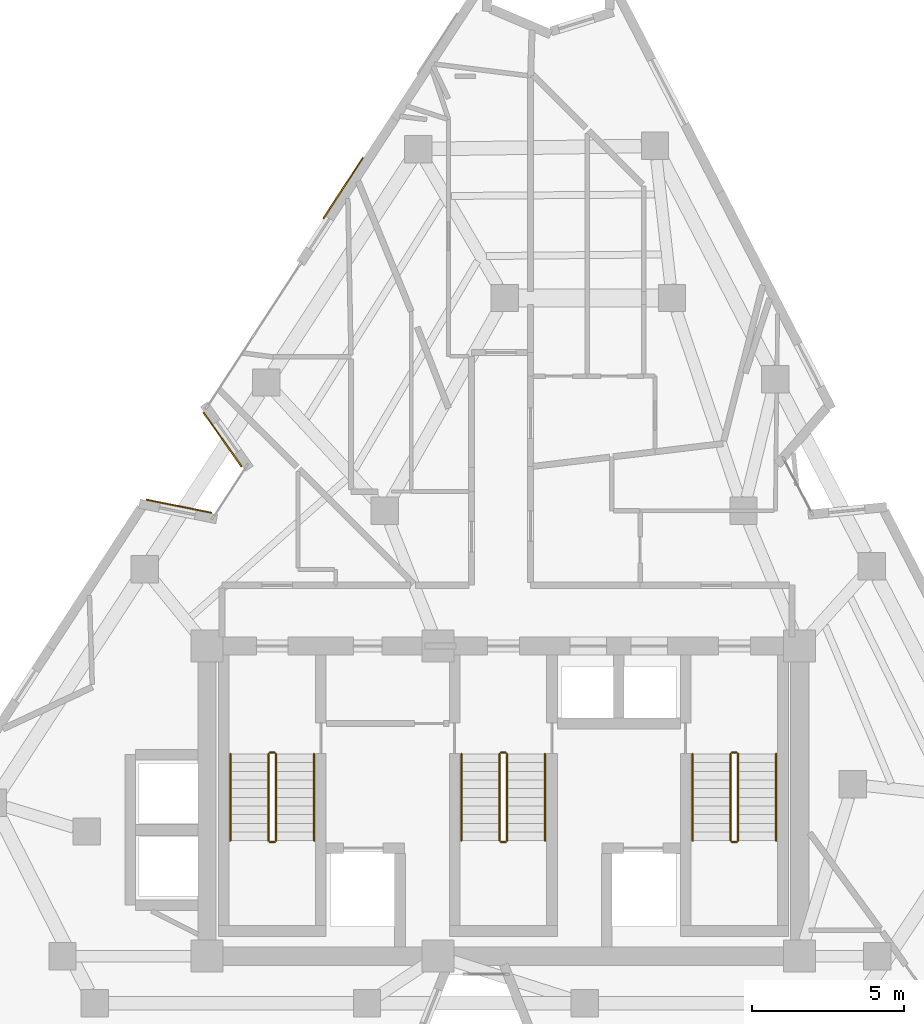
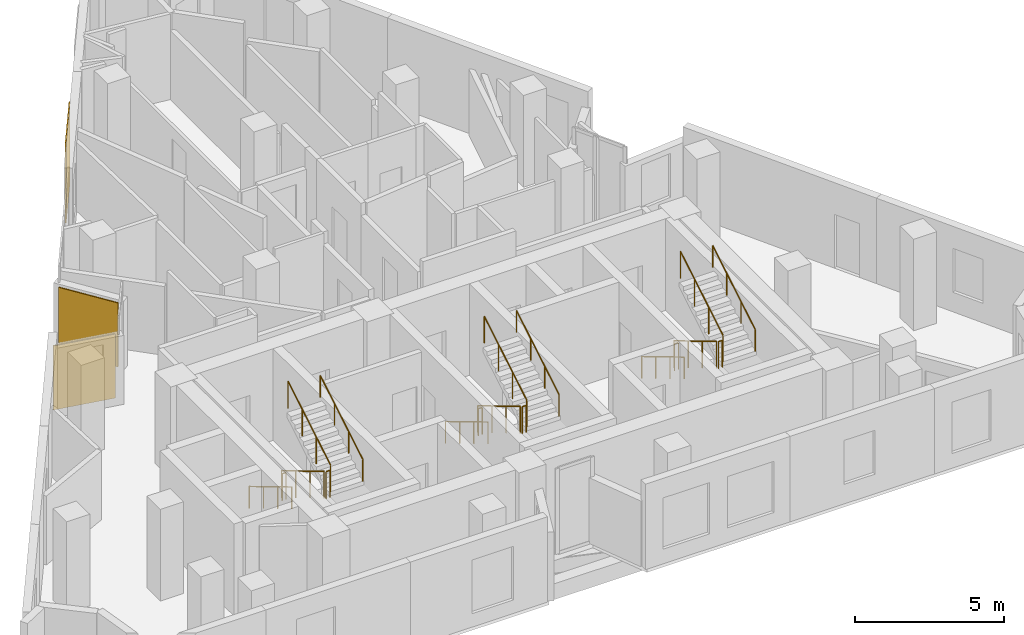
# One storey, part 9 of 10: 18 railings, 3 coverings.
"""IFC4 building model written with IfcOpenShell, lengths in metres."""

from ifc_helpers import new_model, si_unit, direction, frame, origin, origin_2d, place, context, subcontext, project, spatial, rectangle, circle, extrude, material, layer, layer_set, type_object, element, save


model = new_model("IFC4")

# Units and contexts
model_context = context("Model", 3, precision=1e-05, world=origin(), true_north=direction((0.0, 1.0)))
body_context = subcontext(model_context, "Body", "Model", "MODEL_VIEW")
ifc_project = project(units=[si_unit("LENGTHUNIT", "METRE"), si_unit("AREAUNIT", "SQUARE_METRE"), si_unit("VOLUMEUNIT", "CUBIC_METRE"), si_unit("PLANEANGLEUNIT", "RADIAN"), si_unit("MASSUNIT", "GRAM", prefix="KILO")], contexts=[model_context])

# Site, building, storey
site_placement = place(None, origin())
site = spatial("IfcSite", under=ifc_project, at=site_placement, CompositionType="ELEMENT")
building_placement = place(site_placement, origin())
building = spatial("IfcBuilding", under=site, at=building_placement, Name="Almagre Mirador Tower", CompositionType="ELEMENT")
storey_placement = place(building_placement, frame((0.0, 0.0, 222.0)))
storey = spatial("IfcBuildingStorey", under=building, at=storey_placement, Name="L57", CompositionType="ELEMENT", Elevation=222.0)

# Coverings
ifc_material_1 = material(Name="Almagre terracotta architectural cladding", Category="masonry")
ifc_layer = layer(ifc_material_1, 0.044921875)
ifc_layer_set = layer_set([ifc_layer], Name="Almagre terracotta architectural cladding")
covering_type = type_object("IfcCoveringType", Name="COV-CLAD-ALMAGRE", PredefinedType="CLADDING", material=ifc_layer_set)
covering_1_placement = place(storey_placement, frame((26.631591796875, 19.3486328125, 0.10009765625), z_axis=(0.0, 0.0, 1.0), x_axis=(0.980319442157, -0.197417809047, 0.0)))
element("IfcCovering", 1, at=covering_1_placement, inside=storey, type_object=covering_type, Name="L57 almagre terracotta pier cladding", PredefinedType="CLADDING", context=body_context, shape_type="SweptSolid", body=[
    extrude(rectangle(XDim=2.194091796875, YDim=0.044921875, at=origin_2d()), origin(), (0.0, 0.0, 1.0), 2.625),
])
covering_2_placement = place(storey_placement, frame((28.063720703125, 21.5478515625, 0.10009765625), z_axis=(0.0, 0.0, 1.0), x_axis=(-0.577159443033, 0.816631481953, 0.0)))
element("IfcCovering", 2, at=covering_2_placement, inside=storey, type_object=covering_type, Name="L57 almagre terracotta pier cladding", PredefinedType="CLADDING", context=body_context, shape_type="SweptSolid", body=[
    extrude(rectangle(XDim=2.193115234375, YDim=0.044921875, at=origin_2d()), origin(), (0.0, 0.0, 1.0), 2.625),
])
covering_3_placement = place(storey_placement, frame((32.032958984375, 29.814208984375, 0.10009765625), z_axis=(0.0, 0.0, 1.0), x_axis=(0.545590125912, 0.838052155004, 0.0)))
element("IfcCovering", 3, at=covering_3_placement, inside=storey, type_object=covering_type, Name="L57 almagre terracotta pier cladding", PredefinedType="CLADDING", context=body_context, shape_type="SweptSolid", body=[
    extrude(rectangle(XDim=2.39990234375, YDim=0.044921875, at=origin_2d()), origin(), (0.0, 0.0, 1.0), 3.300048828125),
])

# Railings
ifc_material_2 = material(Name="Painted galvanized steel", Category="steel")
railing_type_1 = type_object("IfcRailingType", Name="RLG-GRD-1100", PredefinedType="GUARDRAIL", material=ifc_material_2)
railing_1_placement = place(storey_placement, frame((29.574951171875, 11.199951171875, 0.17041015625)))
element("IfcRailing", 4, at=railing_1_placement, inside=storey, type_object=railing_type_1, Name="L57 ST-1 stair guard 1", PredefinedType="GUARDRAIL", context=body_context, shape_type="SweptSolid", body=[
    extrude(circle(Radius=0.02392578125, at=origin_2d()), frame((0.0, 0.0, 1.09619140625), z_axis=(0.0, -0.858199205511, 0.513316786848), x_axis=(1.0, 0.0, 0.0)), (0.0, 0.0, 1.0), 3.32080078125),
    extrude(circle(Radius=0.02099609375, at=origin_2d()), origin(), (0.0, 0.0, 1.0), 1.072021484375),
    extrude(circle(Radius=0.02099609375, at=origin_2d()), frame((0.0, -0.949951171875, 0.568115234375)), (0.0, 0.0, 1.0), 1.072021484375),
    extrude(circle(Radius=0.02099609375, at=origin_2d()), frame((0.0, -1.89990234375, 1.136474609375)), (0.0, 0.0, 1.0), 1.072021484375),
    extrude(circle(Radius=0.02099609375, at=origin_2d()), frame((0.0, -2.849853515625, 1.70458984375)), (0.0, 0.0, 1.0), 1.072021484375),
])
railing_2_placement = place(storey_placement, frame((29.625, 8.300048828125, 1.875)))
element("IfcRailing", 5, at=railing_2_placement, inside=storey, type_object=railing_type_1, Name="L57 ST-1 stair guard 2", PredefinedType="GUARDRAIL", context=body_context, shape_type="SweptSolid", body=[
    extrude(circle(Radius=0.02392578125, at=origin_2d()), frame((0.0, 0.0, 1.09619140625), z_axis=(1.0, 0.0, 0.0), x_axis=(0.0, 1.0, 0.0)), (0.0, 0.0, 1.0), 0.14990234375),
    extrude(circle(Radius=0.02099609375, at=origin_2d()), origin(), (0.0, 0.0, 1.0), 1.072021484375),
    extrude(circle(Radius=0.02099609375, at=origin_2d()), frame((0.14990234375, 0.0, 0.0)), (0.0, 0.0, 1.0), 1.072021484375),
])
railing_3_placement = place(storey_placement, frame((29.824951171875, 8.35009765625, 2.04541015625)))
element("IfcRailing", 6, at=railing_3_placement, inside=storey, type_object=railing_type_1, Name="L57 ST-1 stair guard 3", PredefinedType="GUARDRAIL", context=body_context, shape_type="SweptSolid", body=[
    extrude(circle(Radius=0.02392578125, at=origin_2d()), frame((0.0, 0.0, 1.09619140625), z_axis=(0.0, 0.858199205511, 0.513316786848), x_axis=(-1.0, 0.0, 0.0)), (0.0, 0.0, 1.0), 3.32080078125),
    extrude(circle(Radius=0.02099609375, at=origin_2d()), origin(), (0.0, 0.0, 1.0), 1.072021484375),
    extrude(circle(Radius=0.02099609375, at=origin_2d()), frame((0.0, 0.949951171875, 0.568115234375)), (0.0, 0.0, 1.0), 1.072021484375),
    extrude(circle(Radius=0.02099609375, at=origin_2d()), frame((0.0, 1.89990234375, 1.136474609375)), (0.0, 0.0, 1.0), 1.072021484375),
    extrude(circle(Radius=0.02099609375, at=origin_2d()), frame((0.0, 2.849853515625, 1.70458984375)), (0.0, 0.0, 1.0), 1.072021484375),
])
railing_4_placement = place(storey_placement, frame((29.625, 11.25, 0.0)))
element("IfcRailing", 7, at=railing_4_placement, inside=storey, type_object=railing_type_1, Name="L57 ST-1 stair guard 4", PredefinedType="GUARDRAIL", context=body_context, shape_type="SweptSolid", body=[
    extrude(circle(Radius=0.02392578125, at=origin_2d()), frame((0.0, 0.0, 1.09619140625), z_axis=(1.0, 0.0, 0.0), x_axis=(0.0, 1.0, 0.0)), (0.0, 0.0, 1.0), 0.14990234375),
    extrude(circle(Radius=0.02099609375, at=origin_2d()), origin(), (0.0, 0.0, 1.0), 1.072021484375),
    extrude(circle(Radius=0.02099609375, at=origin_2d()), frame((0.14990234375, 0.0, 0.0)), (0.0, 0.0, 1.0), 1.072021484375),
])
railing_5_placement = place(storey_placement, frame((37.175048828125, 11.199951171875, 0.17041015625)))
element("IfcRailing", 8, at=railing_5_placement, inside=storey, type_object=railing_type_1, Name="L57 ST-2 stair guard 1", PredefinedType="GUARDRAIL", context=body_context, shape_type="SweptSolid", body=[
    extrude(circle(Radius=0.02392578125, at=origin_2d()), frame((0.0, 0.0, 1.09619140625), z_axis=(0.0, -0.858199205511, 0.513316786848), x_axis=(1.0, 0.0, 0.0)), (0.0, 0.0, 1.0), 3.32080078125),
    extrude(circle(Radius=0.02099609375, at=origin_2d()), origin(), (0.0, 0.0, 1.0), 1.072021484375),
    extrude(circle(Radius=0.02099609375, at=origin_2d()), frame((0.0, -0.949951171875, 0.568115234375)), (0.0, 0.0, 1.0), 1.072021484375),
    extrude(circle(Radius=0.02099609375, at=origin_2d()), frame((0.0, -1.89990234375, 1.136474609375)), (0.0, 0.0, 1.0), 1.072021484375),
    extrude(circle(Radius=0.02099609375, at=origin_2d()), frame((0.0, -2.849853515625, 1.70458984375)), (0.0, 0.0, 1.0), 1.072021484375),
])
railing_6_placement = place(storey_placement, frame((37.22509765625, 8.300048828125, 1.875)))
element("IfcRailing", 9, at=railing_6_placement, inside=storey, type_object=railing_type_1, Name="L57 ST-2 stair guard 2", PredefinedType="GUARDRAIL", context=body_context, shape_type="SweptSolid", body=[
    extrude(circle(Radius=0.02392578125, at=origin_2d()), frame((0.0, 0.0, 1.09619140625), z_axis=(1.0, 0.0, 0.0), x_axis=(0.0, 1.0, 0.0)), (0.0, 0.0, 1.0), 0.14990234375),
    extrude(circle(Radius=0.02099609375, at=origin_2d()), origin(), (0.0, 0.0, 1.0), 1.072021484375),
    extrude(circle(Radius=0.02099609375, at=origin_2d()), frame((0.14990234375, 0.0, 0.0)), (0.0, 0.0, 1.0), 1.072021484375),
])
railing_7_placement = place(storey_placement, frame((37.425048828125, 8.35009765625, 2.04541015625)))
element("IfcRailing", 10, at=railing_7_placement, inside=storey, type_object=railing_type_1, Name="L57 ST-2 stair guard 3", PredefinedType="GUARDRAIL", context=body_context, shape_type="SweptSolid", body=[
    extrude(circle(Radius=0.02392578125, at=origin_2d()), frame((0.0, 0.0, 1.09619140625), z_axis=(0.0, 0.858199205511, 0.513316786848), x_axis=(-1.0, 0.0, 0.0)), (0.0, 0.0, 1.0), 3.32080078125),
    extrude(circle(Radius=0.02099609375, at=origin_2d()), origin(), (0.0, 0.0, 1.0), 1.072021484375),
    extrude(circle(Radius=0.02099609375, at=origin_2d()), frame((0.0, 0.949951171875, 0.568115234375)), (0.0, 0.0, 1.0), 1.072021484375),
    extrude(circle(Radius=0.02099609375, at=origin_2d()), frame((0.0, 1.89990234375, 1.136474609375)), (0.0, 0.0, 1.0), 1.072021484375),
    extrude(circle(Radius=0.02099609375, at=origin_2d()), frame((0.0, 2.849853515625, 1.70458984375)), (0.0, 0.0, 1.0), 1.072021484375),
])
railing_8_placement = place(storey_placement, frame((37.22509765625, 11.25, 0.0)))
element("IfcRailing", 11, at=railing_8_placement, inside=storey, type_object=railing_type_1, Name="L57 ST-2 stair guard 4", PredefinedType="GUARDRAIL", context=body_context, shape_type="SweptSolid", body=[
    extrude(circle(Radius=0.02392578125, at=origin_2d()), frame((0.0, 0.0, 1.09619140625), z_axis=(1.0, 0.0, 0.0), x_axis=(0.0, 1.0, 0.0)), (0.0, 0.0, 1.0), 0.14990234375),
    extrude(circle(Radius=0.02099609375, at=origin_2d()), origin(), (0.0, 0.0, 1.0), 1.072021484375),
    extrude(circle(Radius=0.02099609375, at=origin_2d()), frame((0.14990234375, 0.0, 0.0)), (0.0, 0.0, 1.0), 1.072021484375),
])
railing_9_placement = place(storey_placement, frame((44.77490234375, 11.199951171875, 0.17041015625)))
element("IfcRailing", 12, at=railing_9_placement, inside=storey, type_object=railing_type_1, Name="L57 ST-3 stair guard 1", PredefinedType="GUARDRAIL", context=body_context, shape_type="SweptSolid", body=[
    extrude(circle(Radius=0.02392578125, at=origin_2d()), frame((0.0, 0.0, 1.09619140625), z_axis=(0.0, -0.858199205511, 0.513316786848), x_axis=(1.0, 0.0, 0.0)), (0.0, 0.0, 1.0), 3.32080078125),
    extrude(circle(Radius=0.02099609375, at=origin_2d()), origin(), (0.0, 0.0, 1.0), 1.072021484375),
    extrude(circle(Radius=0.02099609375, at=origin_2d()), frame((0.0, -0.949951171875, 0.568115234375)), (0.0, 0.0, 1.0), 1.072021484375),
    extrude(circle(Radius=0.02099609375, at=origin_2d()), frame((0.0, -1.89990234375, 1.136474609375)), (0.0, 0.0, 1.0), 1.072021484375),
    extrude(circle(Radius=0.02099609375, at=origin_2d()), frame((0.0, -2.849853515625, 1.70458984375)), (0.0, 0.0, 1.0), 1.072021484375),
])
railing_10_placement = place(storey_placement, frame((44.824951171875, 8.300048828125, 1.875)))
element("IfcRailing", 13, at=railing_10_placement, inside=storey, type_object=railing_type_1, Name="L57 ST-3 stair guard 2", PredefinedType="GUARDRAIL", context=body_context, shape_type="SweptSolid", body=[
    extrude(circle(Radius=0.02392578125, at=origin_2d()), frame((0.0, 0.0, 1.09619140625), z_axis=(1.0, 0.0, 0.0), x_axis=(0.0, 1.0, 0.0)), (0.0, 0.0, 1.0), 0.150146484375),
    extrude(circle(Radius=0.02099609375, at=origin_2d()), origin(), (0.0, 0.0, 1.0), 1.072021484375),
    extrude(circle(Radius=0.02099609375, at=origin_2d()), frame((0.150146484375, 0.0, 0.0)), (0.0, 0.0, 1.0), 1.072021484375),
])
railing_11_placement = place(storey_placement, frame((45.02490234375, 8.35009765625, 2.04541015625)))
element("IfcRailing", 14, at=railing_11_placement, inside=storey, type_object=railing_type_1, Name="L57 ST-3 stair guard 3", PredefinedType="GUARDRAIL", context=body_context, shape_type="SweptSolid", body=[
    extrude(circle(Radius=0.02392578125, at=origin_2d()), frame((0.0, 0.0, 1.09619140625), z_axis=(0.0, 0.858199205511, 0.513316786848), x_axis=(-1.0, 0.0, 0.0)), (0.0, 0.0, 1.0), 3.32080078125),
    extrude(circle(Radius=0.02099609375, at=origin_2d()), origin(), (0.0, 0.0, 1.0), 1.072021484375),
    extrude(circle(Radius=0.02099609375, at=origin_2d()), frame((0.0, 0.949951171875, 0.568115234375)), (0.0, 0.0, 1.0), 1.072021484375),
    extrude(circle(Radius=0.02099609375, at=origin_2d()), frame((0.0, 1.89990234375, 1.136474609375)), (0.0, 0.0, 1.0), 1.072021484375),
    extrude(circle(Radius=0.02099609375, at=origin_2d()), frame((0.0, 2.849853515625, 1.70458984375)), (0.0, 0.0, 1.0), 1.072021484375),
])
railing_12_placement = place(storey_placement, frame((44.824951171875, 11.25, 0.0)))
element("IfcRailing", 15, at=railing_12_placement, inside=storey, type_object=railing_type_1, Name="L57 ST-3 stair guard 4", PredefinedType="GUARDRAIL", context=body_context, shape_type="SweptSolid", body=[
    extrude(circle(Radius=0.02392578125, at=origin_2d()), frame((0.0, 0.0, 1.09619140625), z_axis=(1.0, 0.0, 0.0), x_axis=(0.0, 1.0, 0.0)), (0.0, 0.0, 1.0), 0.150146484375),
    extrude(circle(Radius=0.02099609375, at=origin_2d()), origin(), (0.0, 0.0, 1.0), 1.072021484375),
    extrude(circle(Radius=0.02099609375, at=origin_2d()), frame((0.150146484375, 0.0, 0.0)), (0.0, 0.0, 1.0), 1.072021484375),
])
ifc_material_3 = material(Name="Brushed stainless steel", Category="steel")
railing_type_2 = type_object("IfcRailingType", Name="RLG-HND-915", PredefinedType="HANDRAIL", material=ifc_material_3)
railing_13_placement = place(storey_placement, frame((28.324951171875, 11.199951171875, 0.17041015625)))
element("IfcRailing", 16, at=railing_13_placement, inside=storey, type_object=railing_type_2, Name="L57 ST-1 stair handrail 1", PredefinedType="HANDRAIL", context=body_context, shape_type="SweptSolid", body=[
    extrude(circle(Radius=0.02392578125, at=origin_2d()), frame((0.0, 0.0, 0.89111328125), z_axis=(0.0, -0.858199205511, 0.513316786848), x_axis=(1.0, 0.0, 0.0)), (0.0, 0.0, 1.0), 3.32080078125),
    extrude(circle(Radius=0.02099609375, at=origin_2d()), origin(), (0.0, 0.0, 1.0), 0.866943359375),
    extrude(circle(Radius=0.02099609375, at=origin_2d()), frame((0.0, -0.949951171875, 0.568115234375)), (0.0, 0.0, 1.0), 0.866943359375),
    extrude(circle(Radius=0.02099609375, at=origin_2d()), frame((0.0, -1.89990234375, 1.136474609375)), (0.0, 0.0, 1.0), 0.866943359375),
    extrude(circle(Radius=0.02099609375, at=origin_2d()), frame((0.0, -2.849853515625, 1.70458984375)), (0.0, 0.0, 1.0), 0.866943359375),
])
railing_14_placement = place(storey_placement, frame((31.074951171875, 8.35009765625, 2.04541015625)))
element("IfcRailing", 17, at=railing_14_placement, inside=storey, type_object=railing_type_2, Name="L57 ST-1 stair handrail 2", PredefinedType="HANDRAIL", context=body_context, shape_type="SweptSolid", body=[
    extrude(circle(Radius=0.02392578125, at=origin_2d()), frame((0.0, 0.0, 0.89111328125), z_axis=(0.0, 0.858199205511, 0.513316786848), x_axis=(-1.0, 0.0, 0.0)), (0.0, 0.0, 1.0), 3.32080078125),
    extrude(circle(Radius=0.02099609375, at=origin_2d()), origin(), (0.0, 0.0, 1.0), 0.866943359375),
    extrude(circle(Radius=0.02099609375, at=origin_2d()), frame((0.0, 0.949951171875, 0.568115234375)), (0.0, 0.0, 1.0), 0.866943359375),
    extrude(circle(Radius=0.02099609375, at=origin_2d()), frame((0.0, 1.89990234375, 1.136474609375)), (0.0, 0.0, 1.0), 0.866943359375),
    extrude(circle(Radius=0.02099609375, at=origin_2d()), frame((0.0, 2.849853515625, 1.70458984375)), (0.0, 0.0, 1.0), 0.866943359375),
])
railing_15_placement = place(storey_placement, frame((35.925048828125, 11.199951171875, 0.17041015625)))
element("IfcRailing", 18, at=railing_15_placement, inside=storey, type_object=railing_type_2, Name="L57 ST-2 stair handrail 1", PredefinedType="HANDRAIL", context=body_context, shape_type="SweptSolid", body=[
    extrude(circle(Radius=0.02392578125, at=origin_2d()), frame((0.0, 0.0, 0.89111328125), z_axis=(0.0, -0.858199205511, 0.513316786848), x_axis=(1.0, 0.0, 0.0)), (0.0, 0.0, 1.0), 3.32080078125),
    extrude(circle(Radius=0.02099609375, at=origin_2d()), origin(), (0.0, 0.0, 1.0), 0.866943359375),
    extrude(circle(Radius=0.02099609375, at=origin_2d()), frame((0.0, -0.949951171875, 0.568115234375)), (0.0, 0.0, 1.0), 0.866943359375),
    extrude(circle(Radius=0.02099609375, at=origin_2d()), frame((0.0, -1.89990234375, 1.136474609375)), (0.0, 0.0, 1.0), 0.866943359375),
    extrude(circle(Radius=0.02099609375, at=origin_2d()), frame((0.0, -2.849853515625, 1.70458984375)), (0.0, 0.0, 1.0), 0.866943359375),
])
railing_16_placement = place(storey_placement, frame((38.675048828125, 8.35009765625, 2.04541015625)))
element("IfcRailing", 19, at=railing_16_placement, inside=storey, type_object=railing_type_2, Name="L57 ST-2 stair handrail 2", PredefinedType="HANDRAIL", context=body_context, shape_type="SweptSolid", body=[
    extrude(circle(Radius=0.02392578125, at=origin_2d()), frame((0.0, 0.0, 0.89111328125), z_axis=(0.0, 0.858199205511, 0.513316786848), x_axis=(-1.0, 0.0, 0.0)), (0.0, 0.0, 1.0), 3.32080078125),
    extrude(circle(Radius=0.02099609375, at=origin_2d()), origin(), (0.0, 0.0, 1.0), 0.866943359375),
    extrude(circle(Radius=0.02099609375, at=origin_2d()), frame((0.0, 0.949951171875, 0.568115234375)), (0.0, 0.0, 1.0), 0.866943359375),
    extrude(circle(Radius=0.02099609375, at=origin_2d()), frame((0.0, 1.89990234375, 1.136474609375)), (0.0, 0.0, 1.0), 0.866943359375),
    extrude(circle(Radius=0.02099609375, at=origin_2d()), frame((0.0, 2.849853515625, 1.70458984375)), (0.0, 0.0, 1.0), 0.866943359375),
])
railing_17_placement = place(storey_placement, frame((43.52490234375, 11.199951171875, 0.17041015625)))
element("IfcRailing", 20, at=railing_17_placement, inside=storey, type_object=railing_type_2, Name="L57 ST-3 stair handrail 1", PredefinedType="HANDRAIL", context=body_context, shape_type="SweptSolid", body=[
    extrude(circle(Radius=0.02392578125, at=origin_2d()), frame((0.0, 0.0, 0.89111328125), z_axis=(0.0, -0.858199205511, 0.513316786848), x_axis=(1.0, 0.0, 0.0)), (0.0, 0.0, 1.0), 3.32080078125),
    extrude(circle(Radius=0.02099609375, at=origin_2d()), origin(), (0.0, 0.0, 1.0), 0.866943359375),
    extrude(circle(Radius=0.02099609375, at=origin_2d()), frame((0.0, -0.949951171875, 0.568115234375)), (0.0, 0.0, 1.0), 0.866943359375),
    extrude(circle(Radius=0.02099609375, at=origin_2d()), frame((0.0, -1.89990234375, 1.136474609375)), (0.0, 0.0, 1.0), 0.866943359375),
    extrude(circle(Radius=0.02099609375, at=origin_2d()), frame((0.0, -2.849853515625, 1.70458984375)), (0.0, 0.0, 1.0), 0.866943359375),
])
railing_18_placement = place(storey_placement, frame((46.27490234375, 8.35009765625, 2.04541015625)))
element("IfcRailing", 21, at=railing_18_placement, inside=storey, type_object=railing_type_2, Name="L57 ST-3 stair handrail 2", PredefinedType="HANDRAIL", context=body_context, shape_type="SweptSolid", body=[
    extrude(circle(Radius=0.02392578125, at=origin_2d()), frame((0.0, 0.0, 0.89111328125), z_axis=(0.0, 0.858199205511, 0.513316786848), x_axis=(-1.0, 0.0, 0.0)), (0.0, 0.0, 1.0), 3.32080078125),
    extrude(circle(Radius=0.02099609375, at=origin_2d()), origin(), (0.0, 0.0, 1.0), 0.866943359375),
    extrude(circle(Radius=0.02099609375, at=origin_2d()), frame((0.0, 0.949951171875, 0.568115234375)), (0.0, 0.0, 1.0), 0.866943359375),
    extrude(circle(Radius=0.02099609375, at=origin_2d()), frame((0.0, 1.89990234375, 1.136474609375)), (0.0, 0.0, 1.0), 0.866943359375),
    extrude(circle(Radius=0.02099609375, at=origin_2d()), frame((0.0, 2.849853515625, 1.70458984375)), (0.0, 0.0, 1.0), 0.866943359375),
])

save(model, "model.ifc")
